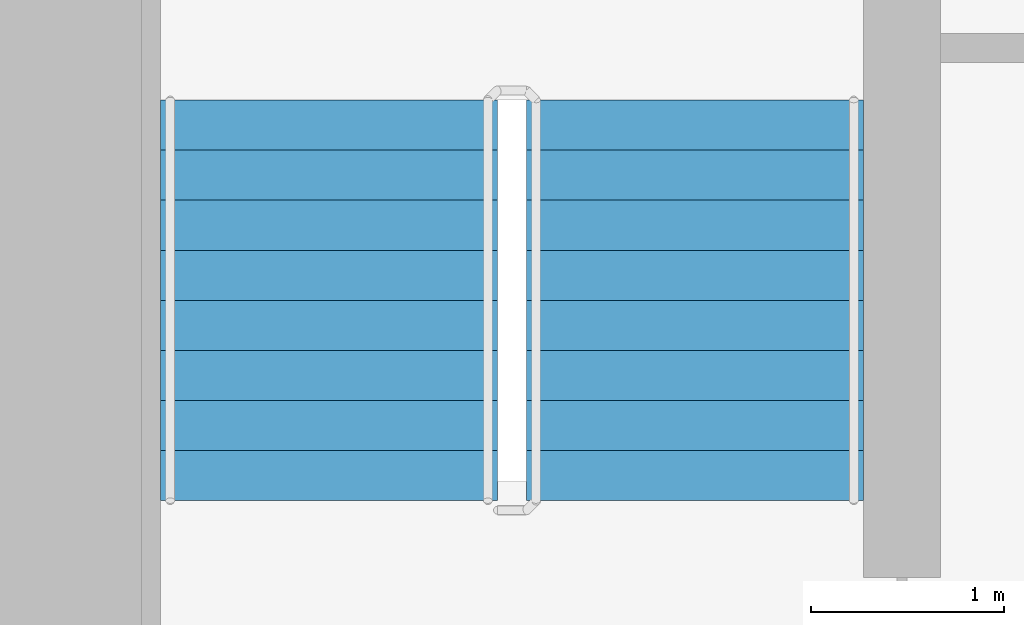
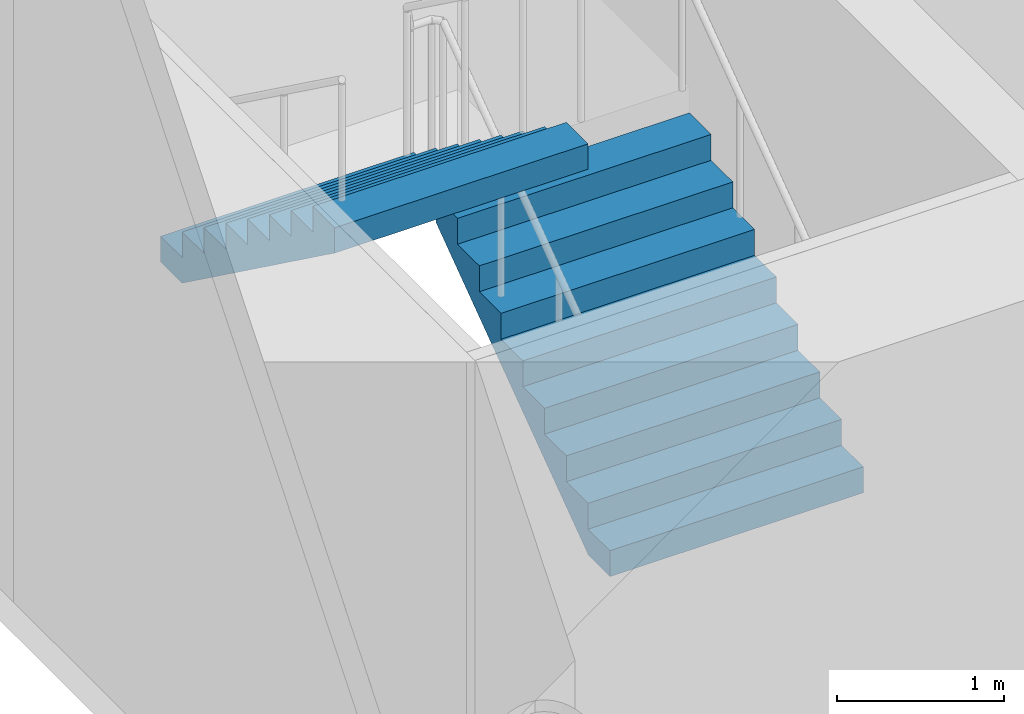
# One storey, part 21 of 25: 2 stair flights, 1 element without a shape of its own.
"""IFC4 building model written with IfcOpenShell, lengths in metres."""

import ifcopenshell
import ifcopenshell.guid

model = None  # the IFC model being written
_history = None  # IfcOwnerHistory: only IFC2X3 demands one
_inside = {}  # id of a spatial element -> (the spatial element, [elements in it])
_under = {}  # id of a project, library or spatial element -> (it, [spatial elements below it])
_declared = {}  # id of a project -> (the project, [libraries it declares])
_typed = {}  # id of a type object -> (the type object, [elements of that type])
_made_of = {}  # id of a material, layer set ... -> (it, [elements and type objects made of it])


def new_model(schema):
    """Start an empty IFC model of exactly this schema.

    Asked for "IFC4X3", IfcOpenShell would pick the latest addendum, in which some entities
    have other attributes; the version numbers below select the first issue.
    IFC2X3 requires an IfcOwnerHistory on every rooted entity: one is made here for all.
    """
    global model, _history
    if schema == "IFC4X3":
        model = ifcopenshell.file(schema_version=(4, 3, 0, 0))
    else:
        model = ifcopenshell.file(schema=schema)
    _inside.clear()
    _under.clear()
    _declared.clear()
    _typed.clear()
    _made_of.clear()
    _history = None
    if model.schema == "IFC2X3":
        org = make("IfcOrganization", Name="unknown")
        user = make(
            "IfcPersonAndOrganization",
            ThePerson=make("IfcPerson", FamilyName="unknown"),
            TheOrganization=org,
        )
        app = make(
            "IfcApplication",
            ApplicationDeveloper=org,
            Version="unknown",
            ApplicationFullName="unknown",
            ApplicationIdentifier="unknown",
        )
        _history = make(
            "IfcOwnerHistory",
            OwningUser=user,
            OwningApplication=app,
            ChangeAction="ADDED",
            CreationDate=0,
        )
    return model


def make(cls, **values):
    """One entity of the class cls with the attributes given. An attribute that is None is left unset."""
    return model.create_entity(
        cls, **{name: value for name, value in values.items() if value is not None}
    )


def rooted(cls, **values):
    """An entity with a GlobalId (a new one), such as an element, a storey or a relation."""
    return make(cls, GlobalId=ifcopenshell.guid.new(), OwnerHistory=_history, **values)


def si_unit(unit_type, name, prefix=None):
    """IfcSIUnit, for example si_unit("LENGTHUNIT", "METRE", prefix="MILLI")."""
    return make("IfcSIUnit", UnitType=unit_type, Prefix=prefix, Name=name)


def assignment(units):
    """IfcUnitAssignment: the units of a project."""
    return None if units is None else make("IfcUnitAssignment", Units=units)


def point(xyz):
    """IfcCartesianPoint."""
    return None if xyz is None else make("IfcCartesianPoint", Coordinates=xyz)


def direction(xyz):
    """IfcDirection."""
    return None if xyz is None else make("IfcDirection", DirectionRatios=xyz)


def frame(location, z_axis=None, x_axis=None):
    """IfcAxis2Placement3D, a coordinate frame: its origin and axes. An axis left out is left unset."""
    return make(
        "IfcAxis2Placement3D",
        Location=point(location),
        Axis=direction(z_axis),
        RefDirection=direction(x_axis),
    )


def origin():
    """The frame at (0, 0, 0) with its axes left unset."""
    return frame((0.0, 0.0, 0.0))


def place(relative_to, where):
    """IfcLocalPlacement: puts the frame where relative to a parent placement (None: the world)."""
    return make(
        "IfcLocalPlacement", PlacementRelTo=relative_to, RelativePlacement=where
    )


def context(
    kind, dimensions, precision=None, world=None, true_north=None, identifier=None
):
    """IfcGeometricRepresentationContext, for example the 3D "Model" context."""
    return make(
        "IfcGeometricRepresentationContext",
        ContextIdentifier=identifier,
        ContextType=kind,
        CoordinateSpaceDimension=dimensions,
        Precision=precision,
        WorldCoordinateSystem=world,
        TrueNorth=true_north,
    )


def subcontext(parent, identifier, kind, view, scale=None):
    """IfcGeometricRepresentationSubContext, for example "Body" below "Model"."""
    return make(
        "IfcGeometricRepresentationSubContext",
        ContextIdentifier=identifier,
        ContextType=kind,
        ParentContext=parent,
        TargetScale=scale,
        TargetView=view,
    )


def project(units=None, contexts=None):
    """IfcProject with its units and contexts."""
    return rooted(
        "IfcProject",
        Name="project",
        RepresentationContexts=contexts,
        UnitsInContext=assignment(units),
    )


def spatial(cls, under=None, at=None, **own):
    """A site, building, storey or space (cls), placed at a placement, below another one or the project."""
    s = rooted(cls, ObjectPlacement=at, **own)
    if under is not None:
        _under.setdefault(under.id(), (under, []))[1].append(s)
    return s


def faces_of(points, faces, orient=None, outer=None):
    """IfcFace entities. A face is a list of loops; a loop is a list of indices into points, from 0.

    orient and outer hold one flag for each loop. By default every Orientation is true, the
    first loop of a face is its IfcFaceOuterBound and the others are IfcFaceBound.
    """
    made = []
    for i, loops in enumerate(faces):
        bounds = []
        for j, loop in enumerate(loops):
            is_outer = j == 0 if outer is None else outer[i][j]
            bounds.append(
                make(
                    "IfcFaceOuterBound" if is_outer else "IfcFaceBound",
                    Bound=make("IfcPolyLoop", Polygon=[points[k] for k in loop]),
                    Orientation=True if orient is None else orient[i][j],
                )
            )
        made.append(make("IfcFace", Bounds=bounds))
    return made


def faceted_brep(points, faces, orient=None, outer=None, voids=None):
    """IfcFacetedBrep: a solid bounded by flat faces; with voids (closed shells), ...WithVoids."""
    shared = [point(p) for p in points]
    hull = make("IfcClosedShell", CfsFaces=faces_of(shared, faces, orient, outer))
    if voids is None:
        return make("IfcFacetedBrep", Outer=hull)
    return make(
        "IfcFacetedBrepWithVoids",
        Outer=hull,
        Voids=[
            make(cls, CfsFaces=faces_of(shared, fs, o, b)) for cls, fs, o, b in voids
        ],
    )


def shape(context_of_items, identifier, shape_type, items):
    """IfcShapeRepresentation: the items that make up one representation, for example the "Body"."""
    return make(
        "IfcShapeRepresentation",
        ContextOfItems=context_of_items,
        RepresentationIdentifier=identifier,
        RepresentationType=shape_type,
        Items=items,
    )


def material(Name=None, Category=None):
    """IfcMaterial."""
    return make("IfcMaterial", Name=Name, Category=Category)


def made_of(thing, what):
    """Note that an element or type object is made of a material, layer set ...; save() writes the relation."""
    if what is not None:
        _made_of.setdefault(what.id(), (what, []))[1].append(thing)
    return thing


def type_object(cls, material=None, **own):
    """A type object (cls), such as IfcWallType, which elements share."""
    return made_of(rooted(cls, **own), material)


def element(
    cls,
    number,
    at=None,
    inside=None,
    cuts=None,
    type_object=None,
    material=None,
    context=None,
    identifier="Body",
    shape_type=None,
    held_by="IfcProductDefinitionShape",
    body=None,
    shapes=None,
    **own,
):
    """One element of the class cls, such as IfcWall. Its Tag is "e" and its number.

    at: its placement. inside: the storey or other place that contains it. cuts: it is an
    opening in that element (IfcRelVoidsElement). A single representation is given by context,
    identifier, shape_type and body (its items); several are given by shapes. held_by: the class
    of the entity that holds the representations. save() writes the other relations.
    """
    e = rooted(cls, Tag="e%d" % number, ObjectPlacement=at, **own)
    if body is not None:
        shapes = [shape(context, identifier, shape_type, body)]
    if shapes is not None:
        e.Representation = make(held_by, Representations=shapes)
    if inside is not None:
        _inside.setdefault(inside.id(), (inside, []))[1].append(e)
    if cuts is not None:
        rooted(
            "IfcRelVoidsElement", RelatingBuildingElement=cuts, RelatedOpeningElement=e
        )
    if type_object is not None:
        _typed.setdefault(type_object.id(), (type_object, []))[1].append(e)
    return made_of(e, material)


def aggregate(whole, parts):
    """IfcRelAggregates: a whole, such as a stair, and the parts it consists of."""
    return rooted("IfcRelAggregates", RelatingObject=whole, RelatedObjects=parts)


def save(model, path):
    """Write the relations noted so far, then the file.

    IfcRelAggregates (storeys below a building ...), IfcRelContainedInSpatialStructure (elements
    in a storey), IfcRelDefinesByType, IfcRelAssociatesMaterial and IfcRelDeclares: one each for
    every whole, place, type object, material and project.
    """
    for whole, parts in _under.values():
        aggregate(whole, parts)
    for where, things in _inside.values():
        rooted(
            "IfcRelContainedInSpatialStructure",
            RelatedElements=things,
            RelatingStructure=where,
        )
    for kind, things in _typed.values():
        rooted("IfcRelDefinesByType", RelatedObjects=things, RelatingType=kind)
    for what, things in _made_of.values():
        rooted("IfcRelAssociatesMaterial", RelatedObjects=things, RelatingMaterial=what)
    for by, libraries in _declared.values():
        rooted("IfcRelDeclares", RelatingContext=by, RelatedDefinitions=libraries)
    model.write(path)


model = new_model("IFC4")

# Units and contexts
model_context = context("Model", 3, precision=1e-05, world=origin(), true_north=direction((0.0, 1.0)))
body_context = subcontext(model_context, "Body", "Model", "MODEL_VIEW")
ifc_project = project(units=[si_unit("LENGTHUNIT", "METRE"), si_unit("AREAUNIT", "SQUARE_METRE"), si_unit("VOLUMEUNIT", "CUBIC_METRE"), si_unit("PLANEANGLEUNIT", "RADIAN"), si_unit("MASSUNIT", "GRAM", prefix="KILO")], contexts=[model_context])

# Site, building, storey
site_placement = place(None, origin())
site = spatial("IfcSite", under=ifc_project, at=site_placement, CompositionType="ELEMENT")
building_placement = place(site_placement, origin())
building = spatial("IfcBuilding", under=site, at=building_placement, Name="Ipe Terrace Towers", CompositionType="ELEMENT")
storey_placement = place(building_placement, frame((0.0, 0.0, 58.5)))
storey = spatial("IfcBuildingStorey", under=building, at=storey_placement, Name="L15", CompositionType="ELEMENT", Elevation=58.5)

# Stair, stair flights
ifc_material_1 = material(Name="Concrete C30/37", Category="concrete")
stair_type = type_object("IfcStairType", Name="Protected exit stair", PredefinedType="HALF_TURN_STAIR", material=ifc_material_1)
stair_placement = place(storey_placement, origin())
stair = element("IfcStair", 1, at=stair_placement, inside=storey, type_object=stair_type, Name="L15 Exit stair T2-C1", PredefinedType="HALF_TURN_STAIR")
ifc_material_2 = material(Name="Concrete C30/37", Category="concrete")
stair_flight_type = type_object("IfcStairFlightType", Name="Exit stair flight 1750", PredefinedType="STRAIGHT", material=ifc_material_2)
stair_flight_1_placement = place(storey_placement, frame((33.22509765625, 9.699951171875, 0.0), z_axis=(0.0, 0.0, 1.0), x_axis=(0.0, 1.0, 0.0)))
stair_flight_1 = element("IfcStairFlight", 2, at=stair_flight_1_placement, type_object=stair_flight_type, Name="T2-ST1 flight 1", NumberOfRisers=9, NumberOfTreads=8, PredefinedType="STRAIGHT", RiserHeight=0.188888889, TreadLength=0.26, context=body_context, shape_type="Brep", body=[
    faceted_brep([(0.255126953125, -0.875, 0.0), (2.080078125, -0.875, 1.325927734375), (2.080078125, -0.875, 1.51123046875), (1.820068359375, -0.875, 1.51123046875), (1.820068359375, -0.875, 1.322265625), (1.56005859375, -0.875, 1.322265625), (1.56005859375, -0.875, 1.13330078125), (1.300048828125, -0.875, 1.13330078125), (1.300048828125, -0.875, 0.9443359375), (1.0400390625, -0.875, 0.9443359375), (1.0400390625, -0.875, 0.755615234375), (0.780029296875, -0.875, 0.755615234375), (0.780029296875, -0.875, 0.566650390625), (0.52001953125, -0.875, 0.566650390625), (0.52001953125, -0.875, 0.377685546875), (0.260009765625, -0.875, 0.377685546875), (0.260009765625, -0.875, 0.18896484375), (0.0, -0.875, 0.18896484375), (0.0, -0.875, 0.0), (0.0, 0.875, 0.0), (0.0, 0.875, 0.18896484375), (0.260009765625, 0.875, 0.18896484375), (0.260009765625, 0.875, 0.377685546875), (0.52001953125, 0.875, 0.377685546875), (0.52001953125, 0.875, 0.566650390625), (0.780029296875, 0.875, 0.566650390625), (0.780029296875, 0.875, 0.755615234375), (1.0400390625, 0.875, 0.755615234375), (1.0400390625, 0.875, 0.9443359375), (1.300048828125, 0.875, 0.9443359375), (1.300048828125, 0.875, 1.13330078125), (1.56005859375, 0.875, 1.13330078125), (1.56005859375, 0.875, 1.322265625), (1.820068359375, 0.875, 1.322265625), (1.820068359375, 0.875, 1.51123046875), (2.080078125, 0.875, 1.51123046875), (2.080078125, 0.875, 1.325927734375), (0.255126953125, 0.875, 0.0), (0.0, -0.300048828125, 0.18896484375), (0.0, -0.1201171875, 0.18896484375), (0.0, -0.06005859375, 0.18896484375), (0.0, -0.030029296875, 0.18896484375), (0.0, -0.010009765625, 0.18896484375), (0.0, 0.0, 0.18896484375), (0.0, 0.010009765625, 0.18896484375), (0.0, 0.030029296875, 0.18896484375), (0.0, 0.06005859375, 0.18896484375), (0.0, 0.1201171875, 0.18896484375), (0.0, 0.300048828125, 0.18896484375), (0.0, 0.300048828125, 0.0), (0.0, 0.1201171875, 0.0), (0.0, 0.06005859375, 0.0), (0.0, 0.030029296875, 0.0), (0.0, 0.010009765625, 0.0), (0.0, 0.0, 0.0), (0.0, -0.010009765625, 0.0), (0.0, -0.030029296875, 0.0), (0.0, -0.06005859375, 0.0), (0.0, -0.1201171875, 0.0), (0.0, -0.300048828125, 0.0), (0.260009765625, -0.300048828125, 0.18896484375), (0.260009765625, -0.1201171875, 0.18896484375), (0.260009765625, -0.06005859375, 0.18896484375), (0.260009765625, -0.030029296875, 0.18896484375), (0.260009765625, -0.010009765625, 0.18896484375), (0.260009765625, 0.0, 0.18896484375), (0.260009765625, 0.010009765625, 0.18896484375), (0.260009765625, 0.030029296875, 0.18896484375), (0.260009765625, 0.06005859375, 0.18896484375), (0.260009765625, 0.1201171875, 0.18896484375), (0.260009765625, 0.300048828125, 0.18896484375), (0.260009765625, -0.300048828125, 0.377685546875), (0.260009765625, -0.1201171875, 0.377685546875), (0.260009765625, -0.06005859375, 0.377685546875), (0.260009765625, -0.030029296875, 0.377685546875), (0.260009765625, -0.010009765625, 0.377685546875), (0.260009765625, 0.0, 0.377685546875), (0.260009765625, 0.010009765625, 0.377685546875), (0.260009765625, 0.030029296875, 0.377685546875), (0.260009765625, 0.06005859375, 0.377685546875), (0.260009765625, 0.1201171875, 0.377685546875), (0.260009765625, 0.300048828125, 0.377685546875), (0.52001953125, -0.300048828125, 0.377685546875), (0.52001953125, -0.1201171875, 0.377685546875), (0.52001953125, -0.06005859375, 0.377685546875), (0.52001953125, -0.030029296875, 0.377685546875), (0.52001953125, -0.010009765625, 0.377685546875), (0.52001953125, 0.0, 0.377685546875), (0.52001953125, 0.010009765625, 0.377685546875), (0.52001953125, 0.030029296875, 0.377685546875), (0.52001953125, 0.06005859375, 0.377685546875), (0.52001953125, 0.1201171875, 0.377685546875), (0.52001953125, 0.300048828125, 0.377685546875), (0.52001953125, -0.300048828125, 0.566650390625), (0.52001953125, -0.1201171875, 0.566650390625), (0.52001953125, -0.06005859375, 0.566650390625), (0.52001953125, -0.030029296875, 0.566650390625), (0.52001953125, -0.010009765625, 0.566650390625), (0.52001953125, 0.0, 0.566650390625), (0.52001953125, 0.010009765625, 0.566650390625), (0.52001953125, 0.030029296875, 0.566650390625), (0.52001953125, 0.06005859375, 0.566650390625), (0.52001953125, 0.1201171875, 0.566650390625), (0.52001953125, 0.300048828125, 0.566650390625), (0.780029296875, -0.300048828125, 0.566650390625), (0.780029296875, -0.1201171875, 0.566650390625), (0.780029296875, -0.06005859375, 0.566650390625), (0.780029296875, -0.030029296875, 0.566650390625), (0.780029296875, -0.010009765625, 0.566650390625), (0.780029296875, 0.0, 0.566650390625), (0.780029296875, 0.010009765625, 0.566650390625), (0.780029296875, 0.030029296875, 0.566650390625), (0.780029296875, 0.06005859375, 0.566650390625), (0.780029296875, 0.1201171875, 0.566650390625), (0.780029296875, 0.300048828125, 0.566650390625), (0.780029296875, -0.300048828125, 0.755615234375), (0.780029296875, -0.1201171875, 0.755615234375), (0.780029296875, -0.06005859375, 0.755615234375), (0.780029296875, -0.030029296875, 0.755615234375), (0.780029296875, -0.010009765625, 0.755615234375), (0.780029296875, 0.0, 0.755615234375), (0.780029296875, 0.010009765625, 0.755615234375), (0.780029296875, 0.030029296875, 0.755615234375), (0.780029296875, 0.06005859375, 0.755615234375), (0.780029296875, 0.1201171875, 0.755615234375), (0.780029296875, 0.300048828125, 0.755615234375), (1.0400390625, -0.300048828125, 0.755615234375), (1.0400390625, -0.1201171875, 0.755615234375), (1.0400390625, -0.06005859375, 0.755615234375), (1.0400390625, -0.030029296875, 0.755615234375), (1.0400390625, -0.010009765625, 0.755615234375), (1.0400390625, 0.0, 0.755615234375), (1.0400390625, 0.010009765625, 0.755615234375), (1.0400390625, 0.030029296875, 0.755615234375), (1.0400390625, 0.06005859375, 0.755615234375), (1.0400390625, 0.1201171875, 0.755615234375), (1.0400390625, 0.300048828125, 0.755615234375), (1.0400390625, -0.300048828125, 0.9443359375), (1.0400390625, -0.1201171875, 0.9443359375), (1.0400390625, -0.06005859375, 0.9443359375), (1.0400390625, -0.030029296875, 0.9443359375), (1.0400390625, -0.010009765625, 0.9443359375), (1.0400390625, 0.0, 0.9443359375), (1.0400390625, 0.010009765625, 0.9443359375), (1.0400390625, 0.030029296875, 0.9443359375), (1.0400390625, 0.06005859375, 0.9443359375), (1.0400390625, 0.1201171875, 0.9443359375), (1.0400390625, 0.300048828125, 0.9443359375), (1.300048828125, -0.300048828125, 0.9443359375), (1.300048828125, -0.1201171875, 0.9443359375), (1.300048828125, -0.06005859375, 0.9443359375), (1.300048828125, -0.030029296875, 0.9443359375), (1.300048828125, -0.010009765625, 0.9443359375), (1.300048828125, 0.0, 0.9443359375), (1.300048828125, 0.010009765625, 0.9443359375), (1.300048828125, 0.030029296875, 0.9443359375), (1.300048828125, 0.06005859375, 0.9443359375), (1.300048828125, 0.1201171875, 0.9443359375), (1.300048828125, 0.300048828125, 0.9443359375), (1.300048828125, -0.300048828125, 1.13330078125), (1.300048828125, -0.1201171875, 1.13330078125), (1.300048828125, -0.06005859375, 1.13330078125), (1.300048828125, -0.030029296875, 1.13330078125), (1.300048828125, -0.010009765625, 1.13330078125), (1.300048828125, 0.0, 1.13330078125), (1.300048828125, 0.010009765625, 1.13330078125), (1.300048828125, 0.030029296875, 1.13330078125), (1.300048828125, 0.06005859375, 1.13330078125), (1.300048828125, 0.1201171875, 1.13330078125), (1.300048828125, 0.300048828125, 1.13330078125), (1.56005859375, -0.300048828125, 1.13330078125), (1.56005859375, -0.1201171875, 1.13330078125), (1.56005859375, -0.06005859375, 1.13330078125), (1.56005859375, -0.030029296875, 1.13330078125), (1.56005859375, -0.010009765625, 1.13330078125), (1.56005859375, 0.0, 1.13330078125), (1.56005859375, 0.010009765625, 1.13330078125), (1.56005859375, 0.030029296875, 1.13330078125), (1.56005859375, 0.06005859375, 1.13330078125), (1.56005859375, 0.1201171875, 1.13330078125), (1.56005859375, 0.300048828125, 1.13330078125), (1.56005859375, -0.300048828125, 1.322265625), (1.56005859375, -0.1201171875, 1.322265625), (1.56005859375, -0.06005859375, 1.322265625), (1.56005859375, -0.030029296875, 1.322265625), (1.56005859375, -0.010009765625, 1.322265625), (1.56005859375, 0.0, 1.322265625), (1.56005859375, 0.010009765625, 1.322265625), (1.56005859375, 0.030029296875, 1.322265625), (1.56005859375, 0.06005859375, 1.322265625), (1.56005859375, 0.1201171875, 1.322265625), (1.56005859375, 0.300048828125, 1.322265625), (1.820068359375, -0.300048828125, 1.322265625), (1.820068359375, -0.1201171875, 1.322265625), (1.820068359375, -0.06005859375, 1.322265625), (1.820068359375, -0.030029296875, 1.322265625), (1.820068359375, -0.010009765625, 1.322265625), (1.820068359375, 0.0, 1.322265625), (1.820068359375, 0.010009765625, 1.322265625), (1.820068359375, 0.030029296875, 1.322265625), (1.820068359375, 0.06005859375, 1.322265625), (1.820068359375, 0.1201171875, 1.322265625), (1.820068359375, 0.300048828125, 1.322265625), (1.820068359375, -0.300048828125, 1.51123046875), (1.820068359375, -0.1201171875, 1.51123046875), (1.820068359375, -0.06005859375, 1.51123046875), (1.820068359375, -0.030029296875, 1.51123046875), (1.820068359375, -0.010009765625, 1.51123046875), (1.820068359375, 0.0, 1.51123046875), (1.820068359375, 0.010009765625, 1.51123046875), (1.820068359375, 0.030029296875, 1.51123046875), (1.820068359375, 0.06005859375, 1.51123046875), (1.820068359375, 0.1201171875, 1.51123046875), (1.820068359375, 0.300048828125, 1.51123046875), (2.080078125, -0.300048828125, 1.51123046875), (2.080078125, -0.1201171875, 1.51123046875), (2.080078125, -0.06005859375, 1.51123046875), (2.080078125, -0.030029296875, 1.51123046875), (2.080078125, -0.010009765625, 1.51123046875), (2.080078125, 0.0, 1.51123046875), (2.080078125, 0.010009765625, 1.51123046875), (2.080078125, 0.030029296875, 1.51123046875), (2.080078125, 0.06005859375, 1.51123046875), (2.080078125, 0.1201171875, 1.51123046875), (2.080078125, 0.300048828125, 1.51123046875), (2.080078125, -0.300048828125, 1.325927734375), (2.080078125, -0.1201171875, 1.325927734375), (2.080078125, -0.06005859375, 1.325927734375), (2.080078125, -0.030029296875, 1.325927734375), (2.080078125, -0.010009765625, 1.325927734375), (2.080078125, 0.0, 1.325927734375), (2.080078125, 0.010009765625, 1.325927734375), (2.080078125, 0.030029296875, 1.325927734375), (2.080078125, 0.06005859375, 1.325927734375), (2.080078125, 0.1201171875, 1.325927734375), (2.080078125, 0.300048828125, 1.325927734375), (0.255126953125, -0.300048828125, 0.0), (0.255126953125, -0.1201171875, 0.0), (0.255126953125, -0.06005859375, 0.0), (0.255126953125, -0.030029296875, 0.0), (0.255126953125, -0.010009765625, 0.0), (0.255126953125, 0.0, 0.0), (0.255126953125, 0.010009765625, 0.0), (0.255126953125, 0.030029296875, 0.0), (0.255126953125, 0.06005859375, 0.0), (0.255126953125, 0.1201171875, 0.0), (0.255126953125, 0.300048828125, 0.0)], [[[0, 1, 2, 3, 4, 5, 6, 7, 8, 9, 10, 11, 12, 13, 14, 15, 16, 17, 18]], [[19, 20, 21, 22, 23, 24, 25, 26, 27, 28, 29, 30, 31, 32, 33, 34, 35, 36, 37]], [[17, 38, 39, 40, 41, 42, 43, 44, 45, 46, 47, 48, 20, 19, 49, 50, 51, 52, 53, 54, 55, 56, 57, 58, 59, 18]], [[16, 60, 61, 62, 63, 64, 65, 66, 67, 68, 69, 70, 21, 20, 48, 47, 46, 45, 44, 43, 42, 41, 40, 39, 38, 17]], [[15, 71, 72, 73, 74, 75, 76, 77, 78, 79, 80, 81, 22, 21, 70, 69, 68, 67, 66, 65, 64, 63, 62, 61, 60, 16]], [[14, 82, 83, 84, 85, 86, 87, 88, 89, 90, 91, 92, 23, 22, 81, 80, 79, 78, 77, 76, 75, 74, 73, 72, 71, 15]], [[13, 93, 94, 95, 96, 97, 98, 99, 100, 101, 102, 103, 24, 23, 92, 91, 90, 89, 88, 87, 86, 85, 84, 83, 82, 14]], [[12, 104, 105, 106, 107, 108, 109, 110, 111, 112, 113, 114, 25, 24, 103, 102, 101, 100, 99, 98, 97, 96, 95, 94, 93, 13]], [[11, 115, 116, 117, 118, 119, 120, 121, 122, 123, 124, 125, 26, 25, 114, 113, 112, 111, 110, 109, 108, 107, 106, 105, 104, 12]], [[10, 126, 127, 128, 129, 130, 131, 132, 133, 134, 135, 136, 27, 26, 125, 124, 123, 122, 121, 120, 119, 118, 117, 116, 115, 11]], [[9, 137, 138, 139, 140, 141, 142, 143, 144, 145, 146, 147, 28, 27, 136, 135, 134, 133, 132, 131, 130, 129, 128, 127, 126, 10]], [[8, 148, 149, 150, 151, 152, 153, 154, 155, 156, 157, 158, 29, 28, 147, 146, 145, 144, 143, 142, 141, 140, 139, 138, 137, 9]], [[7, 159, 160, 161, 162, 163, 164, 165, 166, 167, 168, 169, 30, 29, 158, 157, 156, 155, 154, 153, 152, 151, 150, 149, 148, 8]], [[6, 170, 171, 172, 173, 174, 175, 176, 177, 178, 179, 180, 31, 30, 169, 168, 167, 166, 165, 164, 163, 162, 161, 160, 159, 7]], [[5, 181, 182, 183, 184, 185, 186, 187, 188, 189, 190, 191, 32, 31, 180, 179, 178, 177, 176, 175, 174, 173, 172, 171, 170, 6]], [[4, 192, 193, 194, 195, 196, 197, 198, 199, 200, 201, 202, 33, 32, 191, 190, 189, 188, 187, 186, 185, 184, 183, 182, 181, 5]], [[3, 203, 204, 205, 206, 207, 208, 209, 210, 211, 212, 213, 34, 33, 202, 201, 200, 199, 198, 197, 196, 195, 194, 193, 192, 4]], [[2, 214, 215, 216, 217, 218, 219, 220, 221, 222, 223, 224, 35, 34, 213, 212, 211, 210, 209, 208, 207, 206, 205, 204, 203, 3]], [[1, 225, 226, 227, 228, 229, 230, 231, 232, 233, 234, 235, 36, 35, 224, 223, 222, 221, 220, 219, 218, 217, 216, 215, 214, 2]], [[0, 236, 237, 238, 239, 240, 241, 242, 243, 244, 245, 246, 37, 36, 235, 234, 233, 232, 231, 230, 229, 228, 227, 226, 225, 1]], [[18, 59, 58, 57, 56, 55, 54, 53, 52, 51, 50, 49, 19, 37, 246, 245, 244, 243, 242, 241, 240, 239, 238, 237, 236, 0]]]),
])
stair_flight_2_placement = place(storey_placement, frame((31.324951171875, 11.780029296875, 1.699951171875), z_axis=(0.0, 0.0, 1.0), x_axis=(0.0, -1.0, 0.0)))
stair_flight_2 = element("IfcStairFlight", 3, at=stair_flight_2_placement, type_object=stair_flight_type, Name="T2-ST1 flight 2", NumberOfRisers=9, NumberOfTreads=8, PredefinedType="STRAIGHT", RiserHeight=0.188888889, TreadLength=0.26, context=body_context, shape_type="Brep", body=[
    faceted_brep([(0.255126953125, -0.875, 0.0), (2.080078125, -0.875, 1.325927734375), (2.080078125, -0.875, 1.51123046875), (1.820068359375, -0.875, 1.51123046875), (1.820068359375, -0.875, 1.322265625), (1.56005859375, -0.875, 1.322265625), (1.56005859375, -0.875, 1.13330078125), (1.300048828125, -0.875, 1.13330078125), (1.300048828125, -0.875, 0.9443359375), (1.0400390625, -0.875, 0.9443359375), (1.0400390625, -0.875, 0.755615234375), (0.780029296875, -0.875, 0.755615234375), (0.780029296875, -0.875, 0.566650390625), (0.52001953125, -0.875, 0.566650390625), (0.52001953125, -0.875, 0.377685546875), (0.260009765625, -0.875, 0.377685546875), (0.260009765625, -0.875, 0.18896484375), (0.0, -0.875, 0.18896484375), (0.0, -0.875, 0.0), (0.0, 0.875, 0.0), (0.0, 0.875, 0.18896484375), (0.260009765625, 0.875, 0.18896484375), (0.260009765625, 0.875, 0.377685546875), (0.52001953125, 0.875, 0.377685546875), (0.52001953125, 0.875, 0.566650390625), (0.780029296875, 0.875, 0.566650390625), (0.780029296875, 0.875, 0.755615234375), (1.0400390625, 0.875, 0.755615234375), (1.0400390625, 0.875, 0.9443359375), (1.300048828125, 0.875, 0.9443359375), (1.300048828125, 0.875, 1.13330078125), (1.56005859375, 0.875, 1.13330078125), (1.56005859375, 0.875, 1.322265625), (1.820068359375, 0.875, 1.322265625), (1.820068359375, 0.875, 1.51123046875), (2.080078125, 0.875, 1.51123046875), (2.080078125, 0.875, 1.325927734375), (0.255126953125, 0.875, 0.0), (0.0, -0.300048828125, 0.18896484375), (0.0, -0.1201171875, 0.18896484375), (0.0, -0.06005859375, 0.18896484375), (0.0, -0.030029296875, 0.18896484375), (0.0, -0.010009765625, 0.18896484375), (0.0, 0.0, 0.18896484375), (0.0, 0.010009765625, 0.18896484375), (0.0, 0.030029296875, 0.18896484375), (0.0, 0.06005859375, 0.18896484375), (0.0, 0.1201171875, 0.18896484375), (0.0, 0.300048828125, 0.18896484375), (0.0, 0.300048828125, 0.0), (0.0, 0.1201171875, 0.0), (0.0, 0.06005859375, 0.0), (0.0, 0.030029296875, 0.0), (0.0, 0.010009765625, 0.0), (0.0, 0.0, 0.0), (0.0, -0.010009765625, 0.0), (0.0, -0.030029296875, 0.0), (0.0, -0.06005859375, 0.0), (0.0, -0.1201171875, 0.0), (0.0, -0.300048828125, 0.0), (0.260009765625, -0.300048828125, 0.18896484375), (0.260009765625, -0.1201171875, 0.18896484375), (0.260009765625, -0.06005859375, 0.18896484375), (0.260009765625, -0.030029296875, 0.18896484375), (0.260009765625, -0.010009765625, 0.18896484375), (0.260009765625, 0.0, 0.18896484375), (0.260009765625, 0.010009765625, 0.18896484375), (0.260009765625, 0.030029296875, 0.18896484375), (0.260009765625, 0.06005859375, 0.18896484375), (0.260009765625, 0.1201171875, 0.18896484375), (0.260009765625, 0.300048828125, 0.18896484375), (0.260009765625, -0.300048828125, 0.377685546875), (0.260009765625, -0.1201171875, 0.377685546875), (0.260009765625, -0.06005859375, 0.377685546875), (0.260009765625, -0.030029296875, 0.377685546875), (0.260009765625, -0.010009765625, 0.377685546875), (0.260009765625, 0.0, 0.377685546875), (0.260009765625, 0.010009765625, 0.377685546875), (0.260009765625, 0.030029296875, 0.377685546875), (0.260009765625, 0.06005859375, 0.377685546875), (0.260009765625, 0.1201171875, 0.377685546875), (0.260009765625, 0.300048828125, 0.377685546875), (0.52001953125, -0.300048828125, 0.377685546875), (0.52001953125, -0.1201171875, 0.377685546875), (0.52001953125, -0.06005859375, 0.377685546875), (0.52001953125, -0.030029296875, 0.377685546875), (0.52001953125, -0.010009765625, 0.377685546875), (0.52001953125, 0.0, 0.377685546875), (0.52001953125, 0.010009765625, 0.377685546875), (0.52001953125, 0.030029296875, 0.377685546875), (0.52001953125, 0.06005859375, 0.377685546875), (0.52001953125, 0.1201171875, 0.377685546875), (0.52001953125, 0.300048828125, 0.377685546875), (0.52001953125, -0.300048828125, 0.566650390625), (0.52001953125, -0.1201171875, 0.566650390625), (0.52001953125, -0.06005859375, 0.566650390625), (0.52001953125, -0.030029296875, 0.566650390625), (0.52001953125, -0.010009765625, 0.566650390625), (0.52001953125, 0.0, 0.566650390625), (0.52001953125, 0.010009765625, 0.566650390625), (0.52001953125, 0.030029296875, 0.566650390625), (0.52001953125, 0.06005859375, 0.566650390625), (0.52001953125, 0.1201171875, 0.566650390625), (0.52001953125, 0.300048828125, 0.566650390625), (0.780029296875, -0.300048828125, 0.566650390625), (0.780029296875, -0.1201171875, 0.566650390625), (0.780029296875, -0.06005859375, 0.566650390625), (0.780029296875, -0.030029296875, 0.566650390625), (0.780029296875, -0.010009765625, 0.566650390625), (0.780029296875, 0.0, 0.566650390625), (0.780029296875, 0.010009765625, 0.566650390625), (0.780029296875, 0.030029296875, 0.566650390625), (0.780029296875, 0.06005859375, 0.566650390625), (0.780029296875, 0.1201171875, 0.566650390625), (0.780029296875, 0.300048828125, 0.566650390625), (0.780029296875, -0.300048828125, 0.755615234375), (0.780029296875, -0.1201171875, 0.755615234375), (0.780029296875, -0.06005859375, 0.755615234375), (0.780029296875, -0.030029296875, 0.755615234375), (0.780029296875, -0.010009765625, 0.755615234375), (0.780029296875, 0.0, 0.755615234375), (0.780029296875, 0.010009765625, 0.755615234375), (0.780029296875, 0.030029296875, 0.755615234375), (0.780029296875, 0.06005859375, 0.755615234375), (0.780029296875, 0.1201171875, 0.755615234375), (0.780029296875, 0.300048828125, 0.755615234375), (1.0400390625, -0.300048828125, 0.755615234375), (1.0400390625, -0.1201171875, 0.755615234375), (1.0400390625, -0.06005859375, 0.755615234375), (1.0400390625, -0.030029296875, 0.755615234375), (1.0400390625, -0.010009765625, 0.755615234375), (1.0400390625, 0.0, 0.755615234375), (1.0400390625, 0.010009765625, 0.755615234375), (1.0400390625, 0.030029296875, 0.755615234375), (1.0400390625, 0.06005859375, 0.755615234375), (1.0400390625, 0.1201171875, 0.755615234375), (1.0400390625, 0.300048828125, 0.755615234375), (1.0400390625, -0.300048828125, 0.9443359375), (1.0400390625, -0.1201171875, 0.9443359375), (1.0400390625, -0.06005859375, 0.9443359375), (1.0400390625, -0.030029296875, 0.9443359375), (1.0400390625, -0.010009765625, 0.9443359375), (1.0400390625, 0.0, 0.9443359375), (1.0400390625, 0.010009765625, 0.9443359375), (1.0400390625, 0.030029296875, 0.9443359375), (1.0400390625, 0.06005859375, 0.9443359375), (1.0400390625, 0.1201171875, 0.9443359375), (1.0400390625, 0.300048828125, 0.9443359375), (1.300048828125, -0.300048828125, 0.9443359375), (1.300048828125, -0.1201171875, 0.9443359375), (1.300048828125, -0.06005859375, 0.9443359375), (1.300048828125, -0.030029296875, 0.9443359375), (1.300048828125, -0.010009765625, 0.9443359375), (1.300048828125, 0.0, 0.9443359375), (1.300048828125, 0.010009765625, 0.9443359375), (1.300048828125, 0.030029296875, 0.9443359375), (1.300048828125, 0.06005859375, 0.9443359375), (1.300048828125, 0.1201171875, 0.9443359375), (1.300048828125, 0.300048828125, 0.9443359375), (1.300048828125, -0.300048828125, 1.13330078125), (1.300048828125, -0.1201171875, 1.13330078125), (1.300048828125, -0.06005859375, 1.13330078125), (1.300048828125, -0.030029296875, 1.13330078125), (1.300048828125, -0.010009765625, 1.13330078125), (1.300048828125, 0.0, 1.13330078125), (1.300048828125, 0.010009765625, 1.13330078125), (1.300048828125, 0.030029296875, 1.13330078125), (1.300048828125, 0.06005859375, 1.13330078125), (1.300048828125, 0.1201171875, 1.13330078125), (1.300048828125, 0.300048828125, 1.13330078125), (1.56005859375, -0.300048828125, 1.13330078125), (1.56005859375, -0.1201171875, 1.13330078125), (1.56005859375, -0.06005859375, 1.13330078125), (1.56005859375, -0.030029296875, 1.13330078125), (1.56005859375, -0.010009765625, 1.13330078125), (1.56005859375, 0.0, 1.13330078125), (1.56005859375, 0.010009765625, 1.13330078125), (1.56005859375, 0.030029296875, 1.13330078125), (1.56005859375, 0.06005859375, 1.13330078125), (1.56005859375, 0.1201171875, 1.13330078125), (1.56005859375, 0.300048828125, 1.13330078125), (1.56005859375, -0.300048828125, 1.322265625), (1.56005859375, -0.1201171875, 1.322265625), (1.56005859375, -0.06005859375, 1.322265625), (1.56005859375, -0.030029296875, 1.322265625), (1.56005859375, -0.010009765625, 1.322265625), (1.56005859375, 0.0, 1.322265625), (1.56005859375, 0.010009765625, 1.322265625), (1.56005859375, 0.030029296875, 1.322265625), (1.56005859375, 0.06005859375, 1.322265625), (1.56005859375, 0.1201171875, 1.322265625), (1.56005859375, 0.300048828125, 1.322265625), (1.820068359375, -0.300048828125, 1.322265625), (1.820068359375, -0.1201171875, 1.322265625), (1.820068359375, -0.06005859375, 1.322265625), (1.820068359375, -0.030029296875, 1.322265625), (1.820068359375, -0.010009765625, 1.322265625), (1.820068359375, 0.0, 1.322265625), (1.820068359375, 0.010009765625, 1.322265625), (1.820068359375, 0.030029296875, 1.322265625), (1.820068359375, 0.06005859375, 1.322265625), (1.820068359375, 0.1201171875, 1.322265625), (1.820068359375, 0.300048828125, 1.322265625), (1.820068359375, -0.300048828125, 1.51123046875), (1.820068359375, -0.1201171875, 1.51123046875), (1.820068359375, -0.06005859375, 1.51123046875), (1.820068359375, -0.030029296875, 1.51123046875), (1.820068359375, -0.010009765625, 1.51123046875), (1.820068359375, 0.0, 1.51123046875), (1.820068359375, 0.010009765625, 1.51123046875), (1.820068359375, 0.030029296875, 1.51123046875), (1.820068359375, 0.06005859375, 1.51123046875), (1.820068359375, 0.1201171875, 1.51123046875), (1.820068359375, 0.300048828125, 1.51123046875), (2.080078125, -0.300048828125, 1.51123046875), (2.080078125, -0.1201171875, 1.51123046875), (2.080078125, -0.06005859375, 1.51123046875), (2.080078125, -0.030029296875, 1.51123046875), (2.080078125, -0.010009765625, 1.51123046875), (2.080078125, 0.0, 1.51123046875), (2.080078125, 0.010009765625, 1.51123046875), (2.080078125, 0.030029296875, 1.51123046875), (2.080078125, 0.06005859375, 1.51123046875), (2.080078125, 0.1201171875, 1.51123046875), (2.080078125, 0.300048828125, 1.51123046875), (2.080078125, -0.300048828125, 1.325927734375), (2.080078125, -0.1201171875, 1.325927734375), (2.080078125, -0.06005859375, 1.325927734375), (2.080078125, -0.030029296875, 1.325927734375), (2.080078125, -0.010009765625, 1.325927734375), (2.080078125, 0.0, 1.325927734375), (2.080078125, 0.010009765625, 1.325927734375), (2.080078125, 0.030029296875, 1.325927734375), (2.080078125, 0.06005859375, 1.325927734375), (2.080078125, 0.1201171875, 1.325927734375), (2.080078125, 0.300048828125, 1.325927734375), (0.255126953125, -0.300048828125, 0.0), (0.255126953125, -0.1201171875, 0.0), (0.255126953125, -0.06005859375, 0.0), (0.255126953125, -0.030029296875, 0.0), (0.255126953125, -0.010009765625, 0.0), (0.255126953125, 0.0, 0.0), (0.255126953125, 0.010009765625, 0.0), (0.255126953125, 0.030029296875, 0.0), (0.255126953125, 0.06005859375, 0.0), (0.255126953125, 0.1201171875, 0.0), (0.255126953125, 0.300048828125, 0.0)], [[[0, 1, 2, 3, 4, 5, 6, 7, 8, 9, 10, 11, 12, 13, 14, 15, 16, 17, 18]], [[19, 20, 21, 22, 23, 24, 25, 26, 27, 28, 29, 30, 31, 32, 33, 34, 35, 36, 37]], [[17, 38, 39, 40, 41, 42, 43, 44, 45, 46, 47, 48, 20, 19, 49, 50, 51, 52, 53, 54, 55, 56, 57, 58, 59, 18]], [[16, 60, 61, 62, 63, 64, 65, 66, 67, 68, 69, 70, 21, 20, 48, 47, 46, 45, 44, 43, 42, 41, 40, 39, 38, 17]], [[15, 71, 72, 73, 74, 75, 76, 77, 78, 79, 80, 81, 22, 21, 70, 69, 68, 67, 66, 65, 64, 63, 62, 61, 60, 16]], [[14, 82, 83, 84, 85, 86, 87, 88, 89, 90, 91, 92, 23, 22, 81, 80, 79, 78, 77, 76, 75, 74, 73, 72, 71, 15]], [[13, 93, 94, 95, 96, 97, 98, 99, 100, 101, 102, 103, 24, 23, 92, 91, 90, 89, 88, 87, 86, 85, 84, 83, 82, 14]], [[12, 104, 105, 106, 107, 108, 109, 110, 111, 112, 113, 114, 25, 24, 103, 102, 101, 100, 99, 98, 97, 96, 95, 94, 93, 13]], [[11, 115, 116, 117, 118, 119, 120, 121, 122, 123, 124, 125, 26, 25, 114, 113, 112, 111, 110, 109, 108, 107, 106, 105, 104, 12]], [[10, 126, 127, 128, 129, 130, 131, 132, 133, 134, 135, 136, 27, 26, 125, 124, 123, 122, 121, 120, 119, 118, 117, 116, 115, 11]], [[9, 137, 138, 139, 140, 141, 142, 143, 144, 145, 146, 147, 28, 27, 136, 135, 134, 133, 132, 131, 130, 129, 128, 127, 126, 10]], [[8, 148, 149, 150, 151, 152, 153, 154, 155, 156, 157, 158, 29, 28, 147, 146, 145, 144, 143, 142, 141, 140, 139, 138, 137, 9]], [[7, 159, 160, 161, 162, 163, 164, 165, 166, 167, 168, 169, 30, 29, 158, 157, 156, 155, 154, 153, 152, 151, 150, 149, 148, 8]], [[6, 170, 171, 172, 173, 174, 175, 176, 177, 178, 179, 180, 31, 30, 169, 168, 167, 166, 165, 164, 163, 162, 161, 160, 159, 7]], [[5, 181, 182, 183, 184, 185, 186, 187, 188, 189, 190, 191, 32, 31, 180, 179, 178, 177, 176, 175, 174, 173, 172, 171, 170, 6]], [[4, 192, 193, 194, 195, 196, 197, 198, 199, 200, 201, 202, 33, 32, 191, 190, 189, 188, 187, 186, 185, 184, 183, 182, 181, 5]], [[3, 203, 204, 205, 206, 207, 208, 209, 210, 211, 212, 213, 34, 33, 202, 201, 200, 199, 198, 197, 196, 195, 194, 193, 192, 4]], [[2, 214, 215, 216, 217, 218, 219, 220, 221, 222, 223, 224, 35, 34, 213, 212, 211, 210, 209, 208, 207, 206, 205, 204, 203, 3]], [[1, 225, 226, 227, 228, 229, 230, 231, 232, 233, 234, 235, 36, 35, 224, 223, 222, 221, 220, 219, 218, 217, 216, 215, 214, 2]], [[0, 236, 237, 238, 239, 240, 241, 242, 243, 244, 245, 246, 37, 36, 235, 234, 233, 232, 231, 230, 229, 228, 227, 226, 225, 1]], [[18, 59, 58, 57, 56, 55, 54, 53, 52, 51, 50, 49, 19, 37, 246, 245, 244, 243, 242, 241, 240, 239, 238, 237, 236, 0]]]),
])
aggregate(stair, [stair_flight_1, stair_flight_2])

save(model, "model.ifc")
